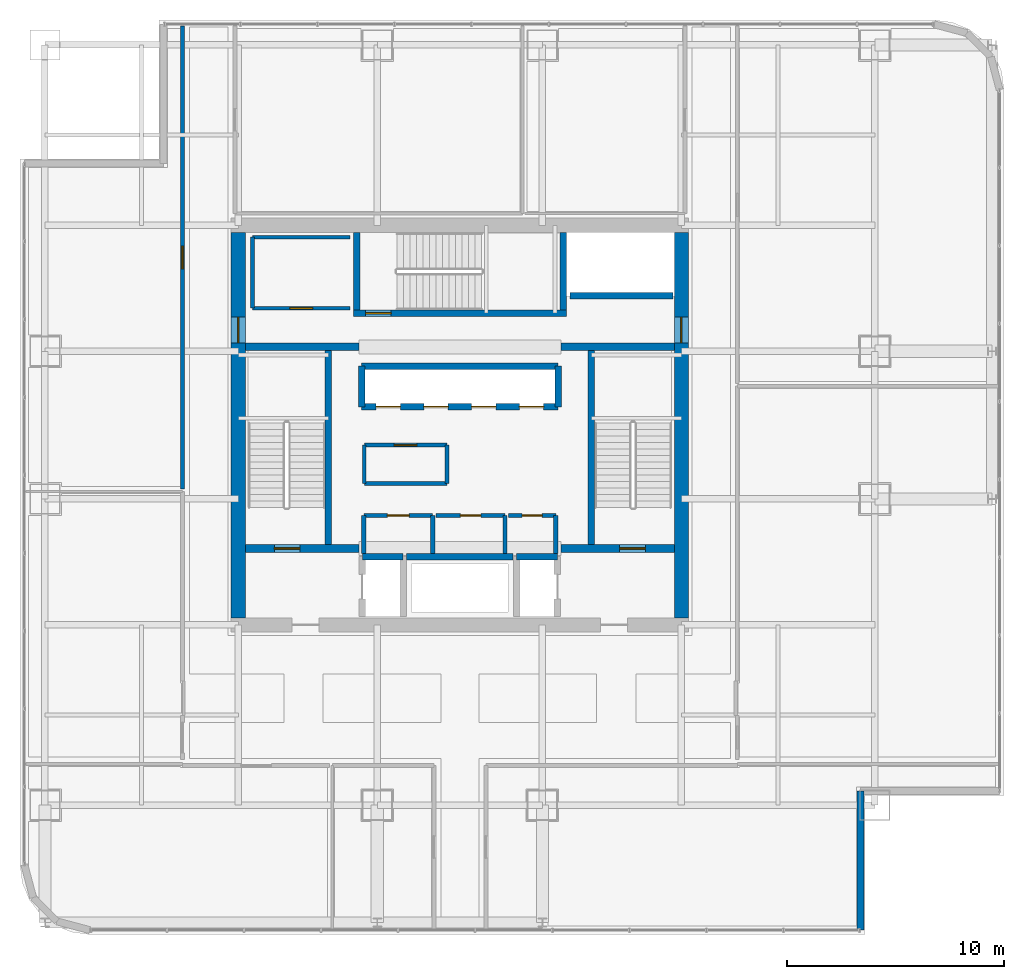
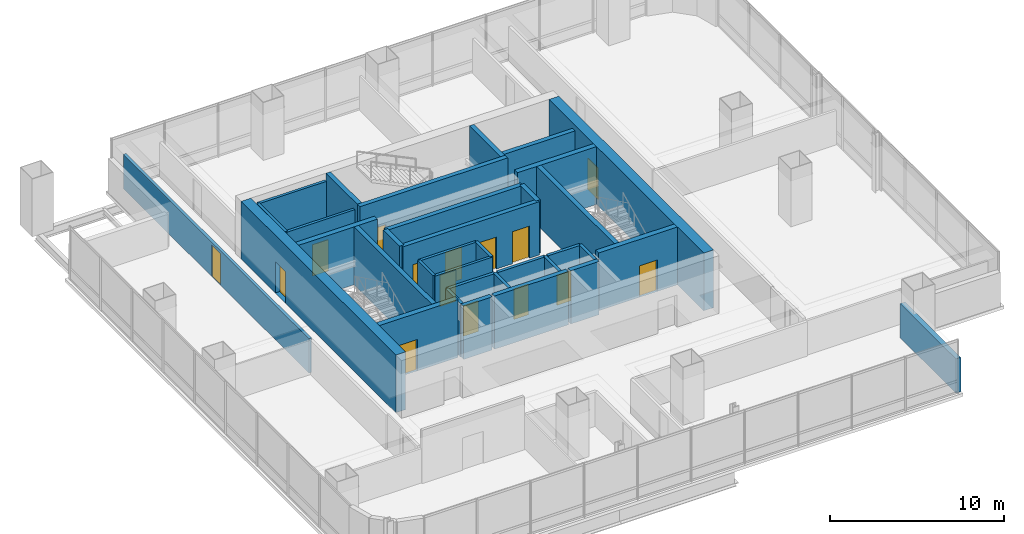
# One storey, part 30 of 35: 35 walls, 15 doors, 15 openings.
"""IFC4 building model written with IfcOpenShell, lengths in metres."""

from ifc_helpers import new_model, si_unit, direction, frame, frame_2d, origin, place, context, subcontext, project, spatial, rectangle, extrude, material, layer, layer_set, type_object, element, fill, save


model = new_model("IFC4")

# Units and contexts
model_context = context("Model", 3, precision=1e-05, world=origin(), true_north=direction((0.0, 1.0)))
body_context = subcontext(model_context, "Body", "Model", "MODEL_VIEW")
ifc_project = project(units=[si_unit("LENGTHUNIT", "METRE"), si_unit("AREAUNIT", "SQUARE_METRE"), si_unit("VOLUMEUNIT", "CUBIC_METRE"), si_unit("PLANEANGLEUNIT", "RADIAN"), si_unit("MASSUNIT", "GRAM", prefix="KILO")], contexts=[model_context])

# Site, building, storey
site_placement = place(None, origin())
site = spatial("IfcSite", under=ifc_project, at=site_placement, CompositionType="ELEMENT")
building_placement = place(site_placement, origin())
building = spatial("IfcBuilding", under=site, at=building_placement, Name="Punatoya Terracotta Tower", CompositionType="ELEMENT")
storey_placement = place(building_placement, frame((0.0, 0.0, 232.949951171875)))
storey = spatial("IfcBuildingStorey", under=building, at=storey_placement, Name="L55", CompositionType="ELEMENT", Elevation=232.949951171875)

# Wall, opening, door
ifc_material_1 = material(Name="Concrete C60/75", Category="concrete")
ifc_layer_1 = layer(ifc_material_1, 0.64990234375)
ifc_layer_set_1 = layer_set([ifc_layer_1], Name="Concrete C60/75")
wall_type_1 = type_object("IfcWallType", Name="WL-COR-650", PredefinedType="SHEAR", material=ifc_layer_set_1)
wall_1_placement = place(storey_placement, frame((-10.199951171875, -8.875, 0.0), z_axis=(0.0, 0.0, 1.0), x_axis=(0.0, 1.0, 0.0)))
wall_1 = element("IfcWall", 1, at=wall_1_placement, inside=storey, type_object=wall_type_1, Name="L55 Core Shear Wall W", PredefinedType="SHEAR", context=body_context, shape_type="SweptSolid", body=[
    extrude(rectangle(XDim=17.75, YDim=0.64990234375, at=frame_2d((8.875, 0.0))), origin(), (0.0, 0.0, 1.0), 4.050048828125),
])
opening_1_placement = place(wall_1_placement, frame((12.6650390625, 0.0, 0.0)))
opening_1 = element("IfcOpeningElement", 2, at=opening_1_placement, cuts=wall_1, Name="Opening SD-01", PredefinedType="OPENING", context=body_context, shape_type="SweptSolid", body=[
    extrude(rectangle(XDim=1.179931640625, YDim=2.199951171875, at=frame_2d((0.58984375, 1.10009765625))), frame((0.0, 0.3349609375, 0.0), z_axis=(0.0, -1.0, 0.0), x_axis=(1.0, 0.0, 0.0)), (0.0, 0.0, 1.0), 0.669921875),
])
ifc_material_2 = material(Name="Galvanised Steel Pressurized Stair Fire Door", Category="steel")
door_type_1 = type_object("IfcDoorType", Name="DR-STR-1180", OperationType="NOTDEFINED", PredefinedType="DOOR", material=ifc_material_2)
door_1_placement = place(opening_1_placement, origin())
door_1 = element("IfcDoor", 3, at=door_1_placement, inside=storey, type_object=door_type_1, Name="L55 Central Lift Lobby West Fire Door", OperationType="SINGLE_SWING_LEFT", OverallHeight=2.199951171875, OverallWidth=1.179931640625, PredefinedType="DOOR", context=body_context, shape_type="SweptSolid", body=[
    extrude(rectangle(XDim=1.179931640625, YDim=2.199951171875, at=frame_2d((0.58984375, 1.10009765625))), frame((0.0, 0.02490234375, 0.0), z_axis=(0.0, -1.0, 0.0), x_axis=(1.0, 0.0, 0.0)), (0.0, 0.0, 1.0), 0.050048828125),
])
fill(opening_1, door_1)

wall_2_placement = place(storey_placement, frame((10.199951171875, 8.875, 0.0), z_axis=(0.0, 0.0, 1.0), x_axis=(0.0, -1.0, 0.0)))
wall_2 = element("IfcWall", 4, at=wall_2_placement, inside=storey, type_object=wall_type_1, Name="L55 Core Shear Wall E", PredefinedType="SHEAR", context=body_context, shape_type="SweptSolid", body=[
    extrude(rectangle(XDim=17.75, YDim=0.64990234375, at=frame_2d((8.875, 0.0))), origin(), (0.0, 0.0, 1.0), 4.050048828125),
])
opening_2_placement = place(wall_2_placement, frame((3.905029296875, 0.0, 0.0)))
opening_2 = element("IfcOpeningElement", 5, at=opening_2_placement, cuts=wall_2, Name="Opening SD-01", PredefinedType="OPENING", context=body_context, shape_type="SweptSolid", body=[
    extrude(rectangle(XDim=1.179931640625, YDim=2.199951171875, at=frame_2d((0.58984375, 1.10009765625))), frame((0.0, 0.3349609375, 0.0), z_axis=(0.0, -1.0, 0.0), x_axis=(1.0, 0.0, 0.0)), (0.0, 0.0, 1.0), 0.669921875),
])
door_2_placement = place(opening_2_placement, origin())
door_2 = element("IfcDoor", 6, at=door_2_placement, inside=storey, type_object=door_type_1, Name="L55 Central Lift Lobby East Fire Door", OperationType="SINGLE_SWING_RIGHT", OverallHeight=2.199951171875, OverallWidth=1.179931640625, PredefinedType="DOOR", context=body_context, shape_type="SweptSolid", body=[
    extrude(rectangle(XDim=1.179931640625, YDim=2.199951171875, at=frame_2d((0.58984375, 1.10009765625))), frame((0.0, 0.02490234375, 0.0), z_axis=(0.0, -1.0, 0.0), x_axis=(1.0, 0.0, 0.0)), (0.0, 0.0, 1.0), 0.050048828125),
])
fill(opening_2, door_2)

# Wall
ifc_material_3 = material(Name="Gypsum Fireboard + Steel Stud", Category="steel")
ifc_layer_2 = layer(ifc_material_3, 0.179931640625)
ifc_layer_set_2 = layer_set([ifc_layer_2], Name="Gypsum Fireboard + Steel Stud")
wall_type_2 = type_object("IfcWallType", Name="WL-CORR-180", PredefinedType="PARTITIONING", material=ifc_layer_set_2)
wall_3_placement = place(storey_placement, frame((-0.60009765625, -2.679931640625, 0.0), z_axis=(0.0, 0.0, 1.0), x_axis=(0.0, 1.0, 0.0)))
element("IfcWall", 7, at=wall_3_placement, inside=storey, type_object=wall_type_2, Name="L55 West Core Archive Office Partition 08", PredefinedType="PARTITIONING", context=body_context, shape_type="SweptSolid", body=[
    extrude(rectangle(XDim=1.760009765625, YDim=0.179931640625, at=frame_2d((0.8798828125, 0.0))), origin(), (0.0, 0.0, 1.0), 3.72998046875),
])

# Wall, opening, door
wall_4_placement = place(storey_placement, frame((-0.60009765625, -0.919921875, 0.0), z_axis=(0.0, 0.0, 1.0), x_axis=(-1.0, 0.0, 0.0)))
wall_4 = element("IfcWall", 8, at=wall_4_placement, inside=storey, type_object=wall_type_2, Name="L55 West Core Archive Office Partition 09", PredefinedType="PARTITIONING", context=body_context, shape_type="SweptSolid", body=[
    extrude(rectangle(XDim=3.7998046875, YDim=0.179931640625, at=frame_2d((1.89990234375, 0.0))), origin(), (0.0, 0.0, 1.0), 3.72998046875),
])
opening_3_placement = place(wall_4_placement, frame((1.375, 0.0, 0.0)))
opening_3 = element("IfcOpeningElement", 9, at=opening_3_placement, cuts=wall_4, Name="Opening OD-01", PredefinedType="OPENING", context=body_context, shape_type="SweptSolid", body=[
    extrude(rectangle(XDim=1.050048828125, YDim=2.199951171875, at=frame_2d((0.52490234375, 1.10009765625))), frame((0.0, 0.099853515625, 0.0), z_axis=(0.0, -1.0, 0.0), x_axis=(1.0, 0.0, 0.0)), (0.0, 0.0, 1.0), 0.199951171875),
])
ifc_material_4 = material(Name="Bengal Teak Solid-Core Leaf")
door_type_2 = type_object("IfcDoorType", Name="DR-OFF-1050", OperationType="NOTDEFINED", PredefinedType="DOOR", material=ifc_material_4)
door_3_placement = place(opening_3_placement, origin())
door_3 = element("IfcDoor", 10, at=door_3_placement, inside=storey, type_object=door_type_2, Name="L55 West Archive Office Door", OperationType="SINGLE_SWING_RIGHT", OverallHeight=2.199951171875, OverallWidth=1.050048828125, PredefinedType="DOOR", context=body_context, shape_type="SweptSolid", body=[
    extrude(rectangle(XDim=1.050048828125, YDim=2.199951171875, at=frame_2d((0.52490234375, 1.10009765625))), frame((0.0, 0.02490234375, 0.0), z_axis=(0.0, -1.0, 0.0), x_axis=(1.0, 0.0, 0.0)), (0.0, 0.0, 1.0), 0.050048828125),
])
fill(opening_3, door_3)

# Walls
wall_5_placement = place(storey_placement, frame((-4.39990234375, -0.919921875, 0.0), z_axis=(0.0, 0.0, 1.0), x_axis=(0.0, -1.0, 0.0)))
element("IfcWall", 11, at=wall_5_placement, inside=storey, type_object=wall_type_2, Name="L55 West Core Archive Office Partition 10", PredefinedType="PARTITIONING", context=body_context, shape_type="SweptSolid", body=[
    extrude(rectangle(XDim=1.760009765625, YDim=0.179931640625, at=frame_2d((0.8798828125, 0.0))), origin(), (0.0, 0.0, 1.0), 3.72998046875),
])
wall_6_placement = place(storey_placement, frame((-4.39990234375, -2.679931640625, 0.0), z_axis=(0.0, 0.0, 1.0), x_axis=(1.0, 0.0, 0.0)))
element("IfcWall", 12, at=wall_6_placement, inside=storey, type_object=wall_type_2, Name="L55 West Core Archive Office Partition 11", PredefinedType="PARTITIONING", context=body_context, shape_type="SweptSolid", body=[
    extrude(rectangle(XDim=3.7998046875, YDim=0.179931640625, at=frame_2d((1.89990234375, 0.0))), origin(), (0.0, 0.0, 1.0), 3.72998046875),
])
wall_7_placement = place(storey_placement, frame((-5.050048828125, 8.64990234375, 0.0), z_axis=(0.0, 0.0, 1.0), x_axis=(-1.0, 0.0, 0.0)))
element("IfcWall", 13, at=wall_7_placement, inside=storey, type_object=wall_type_2, Name="L55 West Core Records Office Partition 12", PredefinedType="PARTITIONING", context=body_context, shape_type="SweptSolid", body=[
    extrude(rectangle(XDim=4.5, YDim=0.179931640625, at=frame_2d((2.25, 0.0))), origin(), (0.0, 0.0, 1.0), 3.72998046875),
])
wall_8_placement = place(storey_placement, frame((-9.550048828125, 8.64990234375, 0.0), z_axis=(0.0, 0.0, 1.0), x_axis=(0.0, -1.0, 0.0)))
element("IfcWall", 14, at=wall_8_placement, inside=storey, type_object=wall_type_2, Name="L55 West Core Records Office Partition 13", PredefinedType="PARTITIONING", context=body_context, shape_type="SweptSolid", body=[
    extrude(rectangle(XDim=3.27001953125, YDim=0.179931640625, at=frame_2d((1.635009765625, 0.0))), origin(), (0.0, 0.0, 1.0), 3.72998046875),
])

# Wall, opening, door
wall_9_placement = place(storey_placement, frame((-9.550048828125, 5.3798828125, 0.0), z_axis=(0.0, 0.0, 1.0), x_axis=(1.0, 0.0, 0.0)))
wall_9 = element("IfcWall", 15, at=wall_9_placement, inside=storey, type_object=wall_type_2, Name="L55 West Core Records Office Partition 14", PredefinedType="PARTITIONING", context=body_context, shape_type="SweptSolid", body=[
    extrude(rectangle(XDim=4.5, YDim=0.179931640625, at=frame_2d((2.25, 0.0))), origin(), (0.0, 0.0, 1.0), 3.72998046875),
])
opening_4_placement = place(wall_9_placement, frame((1.72509765625, 0.0, 0.0)))
opening_4 = element("IfcOpeningElement", 16, at=opening_4_placement, cuts=wall_9, Name="Opening OD-01", PredefinedType="OPENING", context=body_context, shape_type="SweptSolid", body=[
    extrude(rectangle(XDim=1.050048828125, YDim=2.199951171875, at=frame_2d((0.52490234375, 1.10009765625))), frame((0.0, 0.099853515625, 0.0), z_axis=(0.0, -1.0, 0.0), x_axis=(1.0, 0.0, 0.0)), (0.0, 0.0, 1.0), 0.199951171875),
])
door_4_placement = place(opening_4_placement, origin())
door_4 = element("IfcDoor", 17, at=door_4_placement, inside=storey, type_object=door_type_2, Name="L55 West Records Office Door", OperationType="SINGLE_SWING_LEFT", OverallHeight=2.199951171875, OverallWidth=1.050048828125, PredefinedType="DOOR", context=body_context, shape_type="SweptSolid", body=[
    extrude(rectangle(XDim=1.050048828125, YDim=2.199951171875, at=frame_2d((0.52490234375, 1.10009765625))), frame((0.0, 0.02490234375, 0.0), z_axis=(0.0, -1.0, 0.0), x_axis=(1.0, 0.0, 0.0)), (0.0, 0.0, 1.0), 0.050048828125),
])
fill(opening_4, door_4)

wall_10_placement = place(storey_placement, frame((-12.77001953125, 18.3701171875, 0.0), z_axis=(0.0, 0.0, 1.0), x_axis=(0.0, -1.0, 0.0)))
wall_10 = element("IfcWall", 18, at=wall_10_placement, inside=storey, type_object=wall_type_2, Name="L55 Open-Plan Delegate Reception Lounge Partition 31", PredefinedType="PARTITIONING", context=body_context, shape_type="SweptSolid", body=[
    extrude(rectangle(XDim=21.30419921875, YDim=0.179931640625, at=frame_2d((10.652099609375, 0.0))), origin(), (0.0, 0.0, 1.0), 2.404052734375),
])
opening_5_placement = place(wall_10_placement, frame((10.126953125, 0.0, 0.0)))
opening_5 = element("IfcOpeningElement", 19, at=opening_5_placement, cuts=wall_10, Name="Opening OD-01", PredefinedType="OPENING", context=body_context, shape_type="SweptSolid", body=[
    extrude(rectangle(XDim=1.050048828125, YDim=2.199951171875, at=frame_2d((0.52490234375, 1.10009765625))), frame((0.0, 0.099853515625, 0.0), z_axis=(0.0, -1.0, 0.0), x_axis=(1.0, 0.0, 0.0)), (0.0, 0.0, 1.0), 0.199951171875),
])
door_5_placement = place(opening_5_placement, origin())
door_5 = element("IfcDoor", 20, at=door_5_placement, inside=storey, type_object=door_type_2, Name="L55 Open-Plan Delegate Reception Lounge Door", OperationType="SINGLE_SWING_LEFT", OverallHeight=2.199951171875, OverallWidth=1.050048828125, PredefinedType="DOOR", context=body_context, shape_type="SweptSolid", body=[
    extrude(rectangle(XDim=1.050048828125, YDim=2.199951171875, at=frame_2d((0.52490234375, 1.10009765625))), frame((0.0, 0.02490234375, 0.0), z_axis=(0.0, -1.0, 0.0), x_axis=(1.0, 0.0, 0.0)), (0.0, 0.0, 1.0), 0.050048828125),
])
fill(opening_5, door_5)

# Walls
ifc_material_5 = material(Name="Precast concrete C40/50", Category="concrete")
ifc_layer_3 = layer(ifc_material_5, 0.320068359375)
ifc_layer_set_3 = layer_set([ifc_layer_3], Name="Precast concrete C40/50")
wall_type_3 = type_object("IfcWallType", Name="WL-EXT-320", PredefinedType="SOLIDWALL", material=ifc_layer_set_3)
wall_11_placement = place(storey_placement, frame((18.449951171875, -23.25, 0.0), z_axis=(0.0, 0.0, 1.0), x_axis=(0.0, 1.0, 0.0)))
element("IfcWall", 21, at=wall_11_placement, inside=storey, type_object=wall_type_3, Name="L55 Recessed Corner-Slot Terracotta Wall 02", PredefinedType="SOLIDWALL", context=body_context, shape_type="SweptSolid", body=[
    extrude(rectangle(XDim=6.39990234375, YDim=0.320068359375, at=frame_2d((3.199951171875, 0.0))), origin(), (0.0, 0.0, 1.0), 2.404052734375),
])
ifc_material_6 = material(Name="Concrete C40/50", Category="concrete")
ifc_layer_4 = layer(ifc_material_6, 0.199951171875)
ifc_layer_set_4 = layer_set([ifc_layer_4], Name="Concrete C40/50")
wall_type_4 = type_object("IfcWallType", Name="WL-INT-200", PredefinedType="SOLIDWALL", material=ifc_layer_set_4)
wall_12_placement = place(storey_placement, frame((-1.25, -5.89990234375, 0.0), z_axis=(0.0, 0.0, 1.0), x_axis=(0.0, 1.0, 0.0)))
element("IfcWall", 22, at=wall_12_placement, inside=storey, type_object=wall_type_4, Name="L55 Accessible Universal Washroom Partition 01", PredefinedType="SOLIDWALL", context=body_context, shape_type="SweptSolid", body=[
    extrude(rectangle(XDim=1.739990234375, YDim=0.199951171875, at=frame_2d((0.8701171875, 0.0))), origin(), (0.0, 0.0, 1.0), 3.72998046875),
])

# Wall, opening, door
wall_13_placement = place(storey_placement, frame((-1.25, -4.159912109375, 0.0), z_axis=(0.0, 0.0, 1.0), x_axis=(-1.0, 0.0, 0.0)))
wall_13 = element("IfcWall", 23, at=wall_13_placement, inside=storey, type_object=wall_type_4, Name="L55 Accessible Universal Washroom Partition 02", PredefinedType="SOLIDWALL", context=body_context, shape_type="SweptSolid", body=[
    extrude(rectangle(XDim=3.169921875, YDim=0.199951171875, at=frame_2d((1.5849609375, 0.0))), origin(), (0.0, 0.0, 1.0), 3.72998046875),
])
opening_6_placement = place(wall_13_placement, frame((1.0849609375, 0.0, 0.0)))
opening_6 = element("IfcOpeningElement", 24, at=opening_6_placement, cuts=wall_13, Name="Opening AWD-1", PredefinedType="OPENING", context=body_context, shape_type="SweptSolid", body=[
    extrude(rectangle(XDim=1.0, YDim=2.14990234375, at=frame_2d((0.5, 1.074951171875))), frame((0.0, 0.10986328125, 0.0), z_axis=(0.0, -1.0, 0.0), x_axis=(1.0, 0.0, 0.0)), (0.0, 0.0, 1.0), 0.219970703125),
])
ifc_material_7 = material(Name="Bengal Teak Accessible WC Leaf")
door_type_3 = type_object("IfcDoorType", Name="DR-ACC-1000", OperationType="NOTDEFINED", PredefinedType="DOOR", material=ifc_material_7)
door_6_placement = place(opening_6_placement, origin())
door_6 = element("IfcDoor", 25, at=door_6_placement, inside=storey, type_object=door_type_3, Name="L55 Accessible Universal Washroom Door", OperationType="SINGLE_SWING_LEFT", OverallHeight=2.14990234375, OverallWidth=1.0, PredefinedType="DOOR", context=body_context, shape_type="SweptSolid", body=[
    extrude(rectangle(XDim=1.0, YDim=2.14990234375, at=frame_2d((0.5, 1.074951171875))), frame((0.0, 0.02490234375, 0.0), z_axis=(0.0, -1.0, 0.0), x_axis=(1.0, 0.0, 0.0)), (0.0, 0.0, 1.0), 0.050048828125),
])
fill(opening_6, door_6)

# Walls
for number, where, z_axis, x_axis, name in (
    (26, (-4.419921875, -4.159912109375, 0.0), (0.0, 0.0, 1.0), (0.0, -1.0, 0.0), "L55 Accessible Universal Washroom Partition 03"),
    (27, (2.080078125, -5.89990234375, 0.0), (0.0, 0.0, 1.0), (0.0, 1.0, 0.0), "L55 All-Gender Universal Washroom Partition 04"),
):
    element("IfcWall", number, at=place(storey_placement, frame(where, z_axis=z_axis, x_axis=x_axis)), inside=storey, type_object=wall_type_4, Name=name, PredefinedType="SOLIDWALL", context=body_context, shape_type="SweptSolid", body=[
        extrude(rectangle(XDim=1.739990234375, YDim=0.199951171875, at=frame_2d((0.8701171875, 0.0))), origin(), (0.0, 0.0, 1.0), 3.72998046875),
    ])

# Wall, opening, door
wall_14_placement = place(storey_placement, frame((2.080078125, -4.159912109375, 0.0), z_axis=(0.0, 0.0, 1.0), x_axis=(-1.0, 0.0, 0.0)))
wall_14 = element("IfcWall", 28, at=wall_14_placement, inside=storey, type_object=wall_type_4, Name="L55 All-Gender Universal Washroom Partition 05", PredefinedType="SOLIDWALL", context=body_context, shape_type="SweptSolid", body=[
    extrude(rectangle(XDim=3.170166015625, YDim=0.199951171875, at=frame_2d((1.5849609375, 0.0))), origin(), (0.0, 0.0, 1.0), 3.72998046875),
])
opening_7_placement = place(wall_14_placement, frame((1.110107421875, 0.0, 0.0)))
opening_7 = element("IfcOpeningElement", 29, at=opening_7_placement, cuts=wall_14, Name="Opening WD-01", PredefinedType="OPENING", context=body_context, shape_type="SweptSolid", body=[
    extrude(rectangle(XDim=0.949951171875, YDim=2.14990234375, at=frame_2d((0.47509765625, 1.074951171875))), frame((0.0, 0.10986328125, 0.0), z_axis=(0.0, -1.0, 0.0), x_axis=(1.0, 0.0, 0.0)), (0.0, 0.0, 1.0), 0.219970703125),
])
ifc_material_8 = material(Name="Moisture-Resistant Laminate Timber Leaf", Category="wood")
door_type_4 = type_object("IfcDoorType", Name="DR-WC-950", OperationType="NOTDEFINED", PredefinedType="DOOR", material=ifc_material_8)
door_7_placement = place(opening_7_placement, origin())
door_7 = element("IfcDoor", 30, at=door_7_placement, inside=storey, type_object=door_type_4, Name="L55 All-Gender Universal Washroom Door", OperationType="SINGLE_SWING_RIGHT", OverallHeight=2.14990234375, OverallWidth=0.949951171875, PredefinedType="DOOR", context=body_context, shape_type="SweptSolid", body=[
    extrude(rectangle(XDim=0.949951171875, YDim=2.14990234375, at=frame_2d((0.47509765625, 1.074951171875))), frame((0.0, 0.02490234375, 0.0), z_axis=(0.0, -1.0, 0.0), x_axis=(1.0, 0.0, 0.0)), (0.0, 0.0, 1.0), 0.050048828125),
])
fill(opening_7, door_7)

# Wall
wall_15_placement = place(storey_placement, frame((4.419921875, -5.89990234375, 0.0), z_axis=(0.0, 0.0, 1.0), x_axis=(0.0, 1.0, 0.0)))
element("IfcWall", 31, at=wall_15_placement, inside=storey, type_object=wall_type_4, Name="L55 Core Electrical Switchgear Room Partition 06", PredefinedType="SOLIDWALL", context=body_context, shape_type="SweptSolid", body=[
    extrude(rectangle(XDim=1.739990234375, YDim=0.199951171875, at=frame_2d((0.8701171875, 0.0))), origin(), (0.0, 0.0, 1.0), 3.72998046875),
])

# Wall, opening, door
wall_16_placement = place(storey_placement, frame((4.419921875, -4.159912109375, 0.0), z_axis=(0.0, 0.0, 1.0), x_axis=(-1.0, 0.0, 0.0)))
wall_16 = element("IfcWall", 32, at=wall_16_placement, inside=storey, type_object=wall_type_4, Name="L55 Core Electrical Switchgear Room Partition 07", PredefinedType="SOLIDWALL", context=body_context, shape_type="SweptSolid", body=[
    extrude(rectangle(XDim=2.179931640625, YDim=0.199951171875, at=frame_2d((1.08984375, 0.0))), origin(), (0.0, 0.0, 1.0), 3.72998046875),
])
opening_8_placement = place(wall_16_placement, frame((0.6298828125, 0.0, 0.0)))
opening_8 = element("IfcOpeningElement", 33, at=opening_8_placement, cuts=wall_16, Name="Opening FD-R1", PredefinedType="OPENING", context=body_context, shape_type="SweptSolid", body=[
    extrude(rectangle(XDim=0.919921875, YDim=2.10009765625, at=frame_2d((0.4599609375, 1.050048828125))), frame((0.0, 0.10986328125, 0.0), z_axis=(0.0, -1.0, 0.0), x_axis=(1.0, 0.0, 0.0)), (0.0, 0.0, 1.0), 0.219970703125),
])
ifc_material_9 = material(Name="Galvanised Steel Riser Fire Access Door", Category="steel")
door_type_5 = type_object("IfcDoorType", Name="DR-RSR-920", OperationType="NOTDEFINED", PredefinedType="DOOR", material=ifc_material_9)
door_8_placement = place(opening_8_placement, origin())
door_8 = element("IfcDoor", 34, at=door_8_placement, inside=storey, type_object=door_type_5, Name="L55 Core Electrical Switchgear Room Fire Door", OperationType="SINGLE_SWING_LEFT", OverallHeight=2.10009765625, OverallWidth=0.919921875, PredefinedType="DOOR", context=body_context, shape_type="SweptSolid", body=[
    extrude(rectangle(XDim=0.919921875, YDim=2.10009765625, at=frame_2d((0.4599609375, 1.050048828125))), frame((0.0, 0.02490234375, 0.0), z_axis=(0.0, -1.0, 0.0), x_axis=(1.0, 0.0, 0.0)), (0.0, 0.0, 1.0), 0.050048828125),
])
fill(opening_8, door_8)

# Walls
ifc_layer_5 = layer(ifc_material_6, 0.300048828125)
ifc_layer_set_5 = layer_set([ifc_layer_5], Name="Concrete C40/50")
wall_type_5 = type_object("IfcWallType", Name="WL-SHF-300", PredefinedType="SOLIDWALL", material=ifc_layer_set_5)
for number, where, z_axis, x_axis, name in (
    (35, (-6.050048828125, -5.5, 0.0), (0.0, 0.0, 1.0), (0.0, 1.0, 0.0), "L55 Structural Stair Shaft Wall SW-ST1-E"),
    (36, (6.050048828125, 3.449951171875, 0.0), (0.0, 0.0, 1.0), (0.0, -1.0, 0.0), "L55 Structural Stair Shaft Wall SW-ST2-W"),
):
    element("IfcWall", number, at=place(storey_placement, frame(where, z_axis=z_axis, x_axis=x_axis)), inside=storey, type_object=wall_type_5, Name=name, PredefinedType="SOLIDWALL", context=body_context, shape_type="SweptSolid", body=[
        extrude(rectangle(XDim=8.949951171875, YDim=0.300048828125, at=frame_2d((4.47509765625, 0.0))), origin(), (0.0, 0.0, 1.0), 4.050048828125),
    ])
for number, where, z_axis, x_axis, name in (
    (37, (-4.75, 5.300048828125, 0.0), (0.0, 0.0, 1.0), (0.0, 1.0, 0.0), "L55 Structural Stair Shaft Wall SW-ST3-W"),
    (38, (4.75, 8.875, 0.0), (0.0, 0.0, 1.0), (0.0, -1.0, 0.0), "L55 Structural Stair Shaft Wall SW-ST3-E"),
):
    element("IfcWall", number, at=place(storey_placement, frame(where, z_axis=z_axis, x_axis=x_axis)), inside=storey, type_object=wall_type_5, Name=name, PredefinedType="SOLIDWALL", context=body_context, shape_type="SweptSolid", body=[
        extrude(rectangle(XDim=3.574951171875, YDim=0.300048828125, at=frame_2d((1.78759765625, 0.0))), origin(), (0.0, 0.0, 1.0), 4.050048828125),
    ])

# Wall, opening, door
wall_17_placement = place(storey_placement, frame((-4.89990234375, 5.14990234375, 0.0), z_axis=(0.0, 0.0, 1.0), x_axis=(1.0, 0.0, 0.0)))
wall_17 = element("IfcWall", 39, at=wall_17_placement, inside=storey, type_object=wall_type_5, Name="L55 Structural Stair Shaft Wall SW-ST3-S", PredefinedType="SOLIDWALL", context=body_context, shape_type="SweptSolid", body=[
    extrude(rectangle(XDim=9.7998046875, YDim=0.300048828125, at=frame_2d((4.89990234375, 0.0))), origin(), (0.0, 0.0, 1.0), 4.050048828125),
])
opening_9_placement = place(wall_17_placement, frame((0.56005859375, 0.0, 0.0)))
opening_9 = element("IfcOpeningElement", 40, at=opening_9_placement, cuts=wall_17, Name="Opening SD-01", PredefinedType="OPENING", context=body_context, shape_type="SweptSolid", body=[
    extrude(rectangle(XDim=1.179931640625, YDim=2.199951171875, at=frame_2d((0.58984375, 1.10009765625))), frame((0.0, 0.159912109375, 0.0), z_axis=(0.0, -1.0, 0.0), x_axis=(1.0, 0.0, 0.0)), (0.0, 0.0, 1.0), 0.320068359375),
])
door_9_placement = place(opening_9_placement, origin())
door_9 = element("IfcDoor", 41, at=door_9_placement, inside=storey, type_object=door_type_1, Name="L55 Stair ST-3 Core Lobby Fire Door", OperationType="SINGLE_SWING_LEFT", OverallHeight=2.199951171875, OverallWidth=1.179931640625, PredefinedType="DOOR", context=body_context, shape_type="SweptSolid", body=[
    extrude(rectangle(XDim=1.179931640625, YDim=2.199951171875, at=frame_2d((0.58984375, 1.10009765625))), frame((0.0, 0.02490234375, 0.0), z_axis=(0.0, -1.0, 0.0), x_axis=(1.0, 0.0, 0.0)), (0.0, 0.0, 1.0), 0.050048828125),
])
fill(opening_9, door_9)

# Walls
for number, where, z_axis, x_axis, name in (
    (42, (-4.489990234375, -6.050048828125, 0.0), (0.0, 0.0, 1.0), (1.0, 0.0, 0.0), "L55 FFL-1 North Hoistway Wall"),
    (43, (2.610107421875, -6.050048828125, 0.0), (0.0, 0.0, 1.0), (1.0, 0.0, 0.0), "L55 FFL-2 North Hoistway Wall"),
):
    element("IfcWall", number, at=place(storey_placement, frame(where, z_axis=z_axis, x_axis=x_axis)), inside=storey, type_object=wall_type_5, Name=name, PredefinedType="SOLIDWALL", context=body_context, shape_type="SweptSolid", body=[
        extrude(rectangle(XDim=1.8798828125, YDim=0.300048828125, at=frame_2d((0.93994140625, 0.0))), origin(), (0.0, 0.0, 1.0), 3.72998046875),
    ])

# Wall, openings, doors
wall_18_placement = place(storey_placement, frame((-4.52001953125, 0.840087890625, 0.0), z_axis=(0.0, 0.0, 1.0), x_axis=(1.0, 0.0, 0.0)))
wall_18 = element("IfcWall", 44, at=wall_18_placement, inside=storey, type_object=wall_type_5, Name="L55 North Lift Bank Front Shaft Wall", PredefinedType="SOLIDWALL", context=body_context, shape_type="SweptSolid", body=[
    extrude(rectangle(XDim=9.0400390625, YDim=0.300048828125, at=frame_2d((4.52001953125, 0.0))), origin(), (0.0, 0.0, 1.0), 3.72998046875),
])
opening_10_placement = place(wall_18_placement, frame((0.659912109375, 0.0, 0.0)))
opening_10 = element("IfcOpeningElement", 45, at=opening_10_placement, cuts=wall_18, Name="Opening LD-02", PredefinedType="OPENING", context=body_context, shape_type="SweptSolid", body=[
    extrude(rectangle(XDim=1.1201171875, YDim=2.25, at=frame_2d((0.56005859375, 1.125))), frame((0.0, 0.159912109375, 0.0), z_axis=(0.0, -1.0, 0.0), x_axis=(1.0, 0.0, 0.0)), (0.0, 0.0, 1.0), 0.320068359375),
])
opening_11_placement = place(wall_18_placement, frame((2.860107421875, 0.0, 0.0)))
opening_11 = element("IfcOpeningElement", 46, at=opening_11_placement, cuts=wall_18, Name="Opening LD-02", PredefinedType="OPENING", context=body_context, shape_type="SweptSolid", body=[
    extrude(rectangle(XDim=1.1201171875, YDim=2.25, at=frame_2d((0.56005859375, 1.125))), frame((0.0, 0.159912109375, 0.0), z_axis=(0.0, -1.0, 0.0), x_axis=(1.0, 0.0, 0.0)), (0.0, 0.0, 1.0), 0.320068359375),
])
opening_12_placement = place(wall_18_placement, frame((5.06005859375, 0.0, 0.0)))
opening_12 = element("IfcOpeningElement", 47, at=opening_12_placement, cuts=wall_18, Name="Opening LD-02", PredefinedType="OPENING", context=body_context, shape_type="SweptSolid", body=[
    extrude(rectangle(XDim=1.1201171875, YDim=2.25, at=frame_2d((0.56005859375, 1.125))), frame((0.0, 0.159912109375, 0.0), z_axis=(0.0, -1.0, 0.0), x_axis=(1.0, 0.0, 0.0)), (0.0, 0.0, 1.0), 0.320068359375),
])
opening_13_placement = place(wall_18_placement, frame((7.260009765625, 0.0, 0.0)))
opening_13 = element("IfcOpeningElement", 48, at=opening_13_placement, cuts=wall_18, Name="Opening LD-02", PredefinedType="OPENING", context=body_context, shape_type="SweptSolid", body=[
    extrude(rectangle(XDim=1.1201171875, YDim=2.25, at=frame_2d((0.56005859375, 1.125))), frame((0.0, 0.159912109375, 0.0), z_axis=(0.0, -1.0, 0.0), x_axis=(1.0, 0.0, 0.0)), (0.0, 0.0, 1.0), 0.320068359375),
])
ifc_material_10 = material(Name="Stainless Steel Lift Landing Door", Category="steel")
door_type_6 = type_object("IfcDoorType", Name="DR-LND-1120", OperationType="NOTDEFINED", PredefinedType="DOOR", material=ifc_material_10)
door_10_placement = place(opening_10_placement, origin())
door_10 = element("IfcDoor", 49, at=door_10_placement, inside=storey, type_object=door_type_6, Name="L55 Lift PL-M1 Sliding Landing Door", OperationType="DOUBLE_DOOR_SLIDING", OverallHeight=2.25, OverallWidth=1.1201171875, PredefinedType="DOOR", context=body_context, shape_type="SweptSolid", body=[
    extrude(rectangle(XDim=1.1201171875, YDim=2.25, at=frame_2d((0.56005859375, 1.125))), frame((0.0, 0.02490234375, 0.0), z_axis=(0.0, -1.0, 0.0), x_axis=(1.0, 0.0, 0.0)), (0.0, 0.0, 1.0), 0.050048828125),
])
fill(opening_10, door_10)
door_11_placement = place(opening_11_placement, origin())
door_11 = element("IfcDoor", 50, at=door_11_placement, inside=storey, type_object=door_type_6, Name="L55 Lift PL-M2 Sliding Landing Door", OperationType="DOUBLE_DOOR_SLIDING", OverallHeight=2.25, OverallWidth=1.1201171875, PredefinedType="DOOR", context=body_context, shape_type="SweptSolid", body=[
    extrude(rectangle(XDim=1.1201171875, YDim=2.25, at=frame_2d((0.56005859375, 1.125))), frame((0.0, 0.02490234375, 0.0), z_axis=(0.0, -1.0, 0.0), x_axis=(1.0, 0.0, 0.0)), (0.0, 0.0, 1.0), 0.050048828125),
])
fill(opening_11, door_11)
door_12_placement = place(opening_12_placement, origin())
door_12 = element("IfcDoor", 51, at=door_12_placement, inside=storey, type_object=door_type_6, Name="L55 Lift PL-M3 Sliding Landing Door", OperationType="DOUBLE_DOOR_SLIDING", OverallHeight=2.25, OverallWidth=1.1201171875, PredefinedType="DOOR", context=body_context, shape_type="SweptSolid", body=[
    extrude(rectangle(XDim=1.1201171875, YDim=2.25, at=frame_2d((0.56005859375, 1.125))), frame((0.0, 0.02490234375, 0.0), z_axis=(0.0, -1.0, 0.0), x_axis=(1.0, 0.0, 0.0)), (0.0, 0.0, 1.0), 0.050048828125),
])
fill(opening_12, door_12)
door_13_placement = place(opening_13_placement, origin())
door_13 = element("IfcDoor", 52, at=door_13_placement, inside=storey, type_object=door_type_6, Name="L55 Lift PL-M4 Sliding Landing Door", OperationType="DOUBLE_DOOR_SLIDING", OverallHeight=2.25, OverallWidth=1.1201171875, PredefinedType="DOOR", context=body_context, shape_type="SweptSolid", body=[
    extrude(rectangle(XDim=1.1201171875, YDim=2.25, at=frame_2d((0.56005859375, 1.125))), frame((0.0, 0.02490234375, 0.0), z_axis=(0.0, -1.0, 0.0), x_axis=(1.0, 0.0, 0.0)), (0.0, 0.0, 1.0), 0.050048828125),
])
fill(opening_13, door_13)

# Walls
wall_19_placement = place(storey_placement, frame((-4.52001953125, 2.719970703125, 0.0), z_axis=(0.0, 0.0, 1.0), x_axis=(1.0, 0.0, 0.0)))
element("IfcWall", 53, at=wall_19_placement, inside=storey, type_object=wall_type_5, Name="L55 North Lift Bank Rear Shaft Wall", PredefinedType="SOLIDWALL", context=body_context, shape_type="SweptSolid", body=[
    extrude(rectangle(XDim=9.0400390625, YDim=0.300048828125, at=frame_2d((4.52001953125, 0.0))), origin(), (0.0, 0.0, 1.0), 3.72998046875),
])
for number, where, z_axis, x_axis, name in (
    (54, (-4.52001953125, 0.840087890625, 0.0), (0.0, 0.0, 1.0), (0.0, 1.0, 0.0), "L55 North Lift Bank West End Wall"),
    (55, (4.52001953125, 0.840087890625, 0.0), (0.0, 0.0, 1.0), (0.0, 1.0, 0.0), "L55 North Lift Bank East End Wall"),
):
    element("IfcWall", number, at=place(storey_placement, frame(where, z_axis=z_axis, x_axis=x_axis)), inside=storey, type_object=wall_type_5, Name=name, PredefinedType="SOLIDWALL", context=body_context, shape_type="SweptSolid", body=[
        extrude(rectangle(XDim=1.8798828125, YDim=0.300048828125, at=frame_2d((0.93994140625, 0.0))), origin(), (0.0, 0.0, 1.0), 3.72998046875),
    ])
wall_20_placement = place(storey_placement, frame((5.06005859375, 5.949951171875, 0.0), z_axis=(0.0, 0.0, 1.0), x_axis=(1.0, 0.0, 0.0)))
element("IfcWall", 56, at=wall_20_placement, inside=storey, type_object=wall_type_5, Name="L55 Shuttle SL-2 South Hoistway Wall", PredefinedType="SOLIDWALL", context=body_context, shape_type="SweptSolid", body=[
    extrude(rectangle(XDim=4.760009765625, YDim=0.300048828125, at=frame_2d((2.3798828125, 0.0))), origin(), (0.0, 0.0, 1.0), 3.72998046875),
])
wall_21_placement = place(storey_placement, frame((-2.449951171875, -6.050048828125, 0.0), z_axis=(0.0, 0.0, 1.0), x_axis=(1.0, 0.0, 0.0)))
element("IfcWall", 57, at=wall_21_placement, inside=storey, type_object=wall_type_5, Name="L55 Observation Shuttle Rear Hoistway Wall", PredefinedType="SOLIDWALL", context=body_context, shape_type="SweptSolid", body=[
    extrude(rectangle(XDim=4.89990234375, YDim=0.300048828125, at=frame_2d((2.449951171875, 0.0))), origin(), (0.0, 0.0, 1.0), 3.72998046875),
])

# Wall, opening, door
ifc_material_11 = material(Name="Concrete C50/60", Category="concrete")
ifc_layer_6 = layer(ifc_material_11, 0.35009765625)
ifc_layer_set_6 = layer_set([ifc_layer_6], Name="Concrete C50/60")
wall_type_6 = type_object("IfcWallType", Name="WL-SHF-350", PredefinedType="SOLIDWALL", material=ifc_layer_set_6)
wall_22_placement = place(storey_placement, frame((-9.875, -5.679931640625, 0.0), z_axis=(0.0, 0.0, 1.0), x_axis=(1.0, 0.0, 0.0)))
wall_22 = element("IfcWall", 58, at=wall_22_placement, inside=storey, type_object=wall_type_6, Name="L55 Core Web Wall CSW-L", PredefinedType="SOLIDWALL", context=body_context, shape_type="SweptSolid", body=[
    extrude(rectangle(XDim=5.22509765625, YDim=0.35009765625, at=frame_2d((2.612548828125, 0.0))), origin(), (0.0, 0.0, 1.0), 4.050048828125),
])
opening_14_placement = place(wall_22_placement, frame((1.3349609375, 0.0, 0.0)))
opening_14 = element("IfcOpeningElement", 59, at=opening_14_placement, cuts=wall_22, Name="Opening SD-01", PredefinedType="OPENING", context=body_context, shape_type="SweptSolid", body=[
    extrude(rectangle(XDim=1.179931640625, YDim=2.199951171875, at=frame_2d((0.58984375, 1.10009765625))), frame((0.0, 0.18505859375, 0.0), z_axis=(0.0, -1.0, 0.0), x_axis=(1.0, 0.0, 0.0)), (0.0, 0.0, 1.0), 0.3701171875),
])
door_14_placement = place(opening_14_placement, origin())
door_14 = element("IfcDoor", 60, at=door_14_placement, inside=storey, type_object=door_type_1, Name="L55 Stair ST-1 Smokeproof Lobby Fire Door", OperationType="SINGLE_SWING_LEFT", OverallHeight=2.199951171875, OverallWidth=1.179931640625, PredefinedType="DOOR", context=body_context, shape_type="SweptSolid", body=[
    extrude(rectangle(XDim=1.179931640625, YDim=2.199951171875, at=frame_2d((0.58984375, 1.10009765625))), frame((0.0, 0.02490234375, 0.0), z_axis=(0.0, -1.0, 0.0), x_axis=(1.0, 0.0, 0.0)), (0.0, 0.0, 1.0), 0.050048828125),
])
fill(opening_14, door_14)

wall_23_placement = place(storey_placement, frame((4.64990234375, -5.679931640625, 0.0), z_axis=(0.0, 0.0, 1.0), x_axis=(1.0, 0.0, 0.0)))
wall_23 = element("IfcWall", 61, at=wall_23_placement, inside=storey, type_object=wall_type_6, Name="L55 Core Web Wall CSW-R", PredefinedType="SOLIDWALL", context=body_context, shape_type="SweptSolid", body=[
    extrude(rectangle(XDim=5.22509765625, YDim=0.35009765625, at=frame_2d((2.612548828125, 0.0))), origin(), (0.0, 0.0, 1.0), 4.050048828125),
])
opening_15_placement = place(wall_23_placement, frame((2.7099609375, 0.0, 0.0)))
opening_15 = element("IfcOpeningElement", 62, at=opening_15_placement, cuts=wall_23, Name="Opening SD-01", PredefinedType="OPENING", context=body_context, shape_type="SweptSolid", body=[
    extrude(rectangle(XDim=1.179931640625, YDim=2.199951171875, at=frame_2d((0.58984375, 1.10009765625))), frame((0.0, 0.18505859375, 0.0), z_axis=(0.0, -1.0, 0.0), x_axis=(1.0, 0.0, 0.0)), (0.0, 0.0, 1.0), 0.3701171875),
])
door_15_placement = place(opening_15_placement, origin())
door_15 = element("IfcDoor", 63, at=door_15_placement, inside=storey, type_object=door_type_1, Name="L55 Stair ST-2 Smokeproof Lobby Fire Door", OperationType="SINGLE_SWING_RIGHT", OverallHeight=2.199951171875, OverallWidth=1.179931640625, PredefinedType="DOOR", context=body_context, shape_type="SweptSolid", body=[
    extrude(rectangle(XDim=1.179931640625, YDim=2.199951171875, at=frame_2d((0.58984375, 1.10009765625))), frame((0.0, 0.02490234375, 0.0), z_axis=(0.0, -1.0, 0.0), x_axis=(1.0, 0.0, 0.0)), (0.0, 0.0, 1.0), 0.050048828125),
])
fill(opening_15, door_15)

# Walls
for number, where, z_axis, x_axis, name in (
    (64, (-9.875, 3.60009765625, 0.0), (0.0, 0.0, 1.0), (1.0, 0.0, 0.0), "L55 Core Web Wall CNW-L"),
    (65, (4.64990234375, 3.60009765625, 0.0), (0.0, 0.0, 1.0), (1.0, 0.0, 0.0), "L55 Core Web Wall CNW-R"),
):
    element("IfcWall", number, at=place(storey_placement, frame(where, z_axis=z_axis, x_axis=x_axis)), inside=storey, type_object=wall_type_6, Name=name, PredefinedType="SOLIDWALL", context=body_context, shape_type="SweptSolid", body=[
        extrude(rectangle(XDim=5.22509765625, YDim=0.35009765625, at=frame_2d((2.612548828125, 0.0))), origin(), (0.0, 0.0, 1.0), 4.050048828125),
    ])

save(model, "model.ifc")
